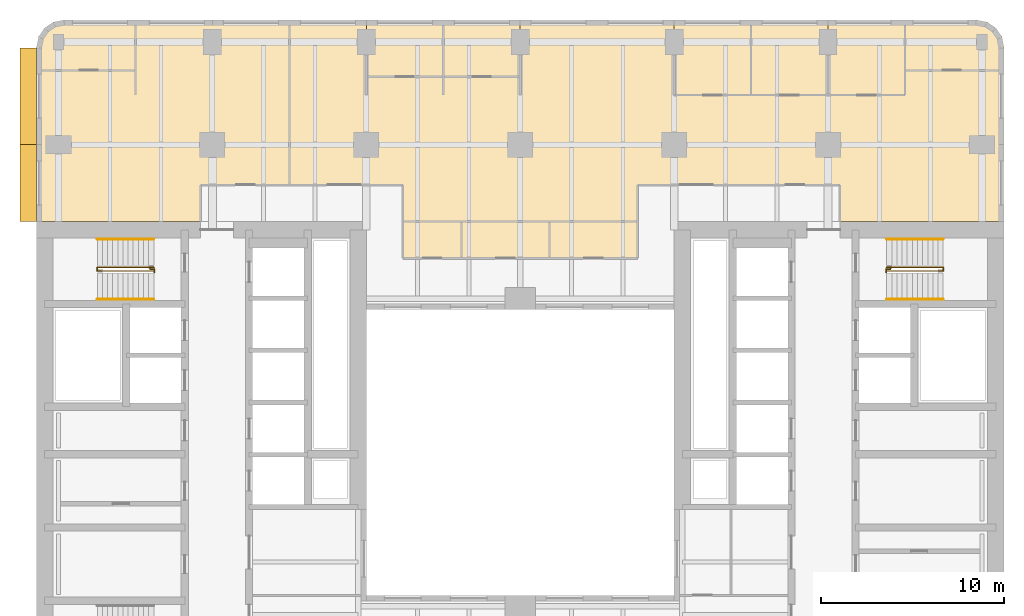
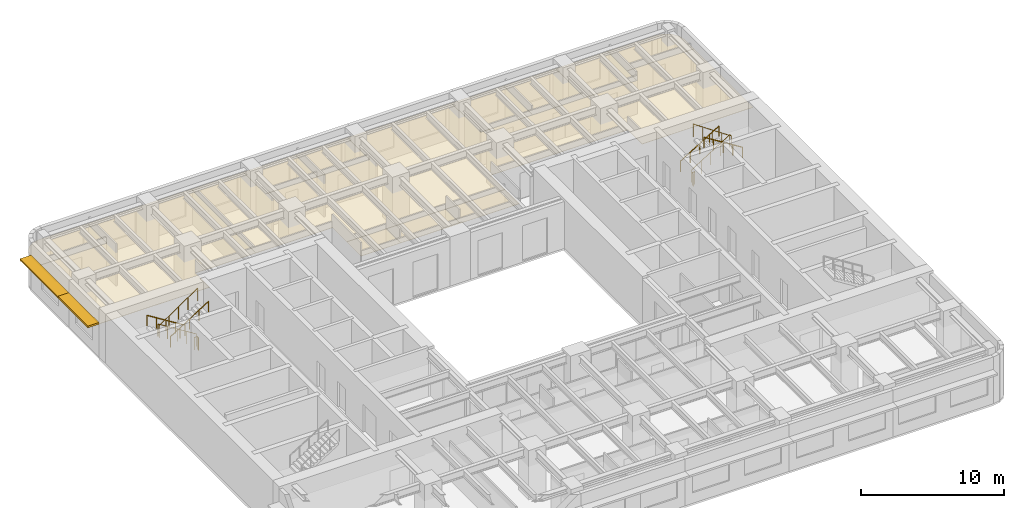
# One storey, part 11 of 11: 12 coverings, 8 railings, 2 shading devices.
"""IFC4 building model written with IfcOpenShell, lengths in metres."""

from ifc_helpers import new_model, si_unit, direction, frame, origin, origin_2d, place, context, subcontext, project, spatial, polyline, rectangle, circle, outline, extrude, material, layer, layer_set, type_object, element, save


model = new_model("IFC4")

# Units and contexts
model_context = context("Model", 3, precision=1e-05, world=origin(), true_north=direction((0.0, 1.0)))
body_context = subcontext(model_context, "Body", "Model", "MODEL_VIEW")
ifc_project = project(units=[si_unit("LENGTHUNIT", "METRE"), si_unit("AREAUNIT", "SQUARE_METRE"), si_unit("VOLUMEUNIT", "CUBIC_METRE"), si_unit("PLANEANGLEUNIT", "RADIAN"), si_unit("MASSUNIT", "GRAM", prefix="KILO")], contexts=[model_context])

# Site, building, storey
site_placement = place(None, origin())
site = spatial("IfcSite", under=ifc_project, at=site_placement, CompositionType="ELEMENT")
building_placement = place(site_placement, origin())
building = spatial("IfcBuilding", under=site, at=building_placement, Name="Claustro Exchange Tower", CompositionType="ELEMENT")
storey_placement = place(building_placement, frame((0.0, 0.0, 163.800048828125)))
storey = spatial("IfcBuildingStorey", under=building, at=storey_placement, Name="L37", CompositionType="ELEMENT", Elevation=163.800048828125)

# Coverings
ifc_material_1 = material(Name="Perforated metal ceiling tiles", Category="steel")
ifc_layer_1 = layer(ifc_material_1, 0.030029296875)
ifc_layer_set_1 = layer_set([ifc_layer_1], Name="Perforated metal ceiling tiles")
covering_type_1 = type_object("IfcCoveringType", Name="CL1 suspended metal ceiling", PredefinedType="CEILING", material=ifc_layer_set_1)
covering_1_placement = place(storey_placement, frame((0.0, 0.0, 2.800048828125)))
element("IfcCovering", 1, at=covering_1_placement, inside=storey, type_object=covering_type_1, Name="Ceiling CL1 L37-21", PredefinedType="CEILING", context=body_context, shape_type="SweptSolid", body=[
    extrude(outline(polyline([(-1.199951171875, 46.050048828125), (-1.199951171875, 37.800048828125), (7.75, 37.800048828125), (7.75, 39.800048828125), (12.60009765625, 39.800048828125), (12.60009765625, 48.800048828125), (4.199951171875, 48.800048828125), (4.199951171875, 46.050048828125), (-1.199951171875, 46.050048828125)])), origin(), (0.0, 0.0, 1.0), 0.02978515625),
])
ifc_material_2 = material(Name="Gypsum board ceiling", Category="gypsum board")
ifc_layer_2 = layer(ifc_material_2, 0.02490234375)
ifc_layer_set_2 = layer_set([ifc_layer_2], Name="Gypsum board ceiling")
covering_type_2 = type_object("IfcCoveringType", Name="CL2 plasterboard ceiling", PredefinedType="CEILING", material=ifc_layer_set_2)
covering_2_placement = place(storey_placement, frame((0.0, 0.0, 2.800048828125)))
element("IfcCovering", 2, at=covering_2_placement, inside=storey, type_object=covering_type_2, Name="Ceiling CL2 L37-17", PredefinedType="CEILING", context=body_context, shape_type="SweptSolid", body=[
    extrude(outline(polyline([(18.800048828125, 35.800048828125), (22.0, 35.800048828125), (22.0, 37.800048828125), (18.800048828125, 37.800048828125), (18.800048828125, 35.800048828125)])), origin(), (0.0, 0.0, 1.0), 0.02490234375),
])
covering_3_placement = place(storey_placement, frame((0.0, 0.0, 2.800048828125)))
element("IfcCovering", 3, at=covering_3_placement, inside=storey, type_object=covering_type_2, Name="Ceiling CL2 L37-18", PredefinedType="CEILING", context=body_context, shape_type="SweptSolid", body=[
    extrude(outline(polyline([(22.0, 35.800048828125), (26.800048828125, 35.800048828125), (26.800048828125, 37.800048828125), (22.0, 37.800048828125), (22.0, 35.800048828125)])), origin(), (0.0, 0.0, 1.0), 0.02490234375),
])
covering_4_placement = place(storey_placement, frame((0.0, 0.0, 2.800048828125)))
element("IfcCovering", 4, at=covering_4_placement, inside=storey, type_object=covering_type_2, Name="Ceiling CL2 L37-19", PredefinedType="CEILING", context=body_context, shape_type="SweptSolid", body=[
    extrude(outline(polyline([(26.800048828125, 35.800048828125), (31.60009765625, 35.800048828125), (31.60009765625, 37.800048828125), (26.800048828125, 37.800048828125), (26.800048828125, 35.800048828125)])), origin(), (0.0, 0.0, 1.0), 0.02490234375),
])
covering_5_placement = place(storey_placement, frame((0.0, 0.0, 2.800048828125)))
element("IfcCovering", 5, at=covering_5_placement, inside=storey, type_object=covering_type_2, Name="Ceiling CL2 L37-20", PredefinedType="CEILING", context=body_context, shape_type="SweptSolid", body=[
    extrude(outline(polyline([(16.800048828125, 48.800048828125), (12.60009765625, 48.800048828125), (12.60009765625, 39.800048828125), (18.800048828125, 39.800048828125), (18.800048828125, 37.800048828125), (31.60009765625, 37.800048828125), (31.60009765625, 39.800048828125), (42.64990234375, 39.800048828125), (42.64990234375, 37.800048828125), (51.60009765625, 37.800048828125), (51.60009765625, 46.050048828125), (46.199951171875, 46.050048828125), (46.199951171875, 44.699951171875), (42.0, 44.699951171875), (37.800048828125, 44.699951171875), (33.60009765625, 44.699951171875), (33.60009765625, 48.800048828125), (25.199951171875, 48.800048828125), (25.199951171875, 45.699951171875), (21.0, 45.699951171875), (16.800048828125, 45.699951171875), (16.800048828125, 48.800048828125)])), origin(), (0.0, 0.0, 1.0), 0.02490234375),
])
covering_6_placement = place(storey_placement, frame((0.0, 0.0, 2.800048828125)))
element("IfcCovering", 6, at=covering_6_placement, inside=storey, type_object=covering_type_2, Name="Ceiling CL2 L37-22", PredefinedType="CEILING", context=body_context, shape_type="SweptSolid", body=[
    extrude(outline(polyline([(37.800048828125, 48.800048828125), (33.60009765625, 48.800048828125), (33.60009765625, 44.699951171875), (37.800048828125, 44.699951171875), (37.800048828125, 48.800048828125)])), origin(), (0.0, 0.0, 1.0), 0.02490234375),
])
covering_7_placement = place(storey_placement, frame((0.0, 0.0, 2.800048828125)))
element("IfcCovering", 7, at=covering_7_placement, inside=storey, type_object=covering_type_2, Name="Ceiling CL2 L37-23", PredefinedType="CEILING", context=body_context, shape_type="SweptSolid", body=[
    extrude(outline(polyline([(42.0, 48.800048828125), (37.800048828125, 48.800048828125), (37.800048828125, 44.699951171875), (42.0, 44.699951171875), (42.0, 48.800048828125)])), origin(), (0.0, 0.0, 1.0), 0.02490234375),
])
covering_8_placement = place(storey_placement, frame((0.0, 0.0, 2.800048828125)))
element("IfcCovering", 8, at=covering_8_placement, inside=storey, type_object=covering_type_2, Name="Ceiling CL2 L37-24", PredefinedType="CEILING", context=body_context, shape_type="SweptSolid", body=[
    extrude(outline(polyline([(46.199951171875, 48.800048828125), (42.0, 48.800048828125), (42.0, 44.699951171875), (46.199951171875, 44.699951171875), (46.199951171875, 48.800048828125)])), origin(), (0.0, 0.0, 1.0), 0.02490234375),
])
covering_9_placement = place(storey_placement, frame((0.0, 0.0, 2.800048828125)))
element("IfcCovering", 9, at=covering_9_placement, inside=storey, type_object=covering_type_2, Name="Ceiling CL2 L37-25", PredefinedType="CEILING", context=body_context, shape_type="SweptSolid", body=[
    extrude(outline(polyline([(21.0, 48.800048828125), (16.800048828125, 48.800048828125), (16.800048828125, 45.699951171875), (21.0, 45.699951171875), (21.0, 48.800048828125)])), origin(), (0.0, 0.0, 1.0), 0.02490234375),
])
covering_10_placement = place(storey_placement, frame((0.0, 0.0, 2.800048828125)))
element("IfcCovering", 10, at=covering_10_placement, inside=storey, type_object=covering_type_2, Name="Ceiling CL2 L37-26", PredefinedType="CEILING", context=body_context, shape_type="SweptSolid", body=[
    extrude(outline(polyline([(25.199951171875, 48.800048828125), (21.0, 48.800048828125), (21.0, 45.699951171875), (25.199951171875, 45.699951171875), (25.199951171875, 48.800048828125)])), origin(), (0.0, 0.0, 1.0), 0.02490234375),
])
covering_11_placement = place(storey_placement, frame((0.0, 0.0, 2.800048828125)))
element("IfcCovering", 11, at=covering_11_placement, inside=storey, type_object=covering_type_2, Name="Ceiling CL2 L37-27", PredefinedType="CEILING", context=body_context, shape_type="SweptSolid", body=[
    extrude(outline(polyline([(-1.199951171875, 47.300048828125), (-1.199951171875, 46.050048828125), (4.199951171875, 46.050048828125), (4.199951171875, 48.800048828125), (0.300048828125, 48.800048828125), (-0.27392578125, 48.685791015625), (-0.7607421875, 48.360595703125), (-1.085693359375, 47.8740234375), (-1.199951171875, 47.300048828125)])), origin(), (0.0, 0.0, 1.0), 0.02490234375),
])
covering_12_placement = place(storey_placement, frame((0.0, 0.0, 2.800048828125)))
element("IfcCovering", 12, at=covering_12_placement, inside=storey, type_object=covering_type_2, Name="Ceiling CL2 L37-28", PredefinedType="CEILING", context=body_context, shape_type="SweptSolid", body=[
    extrude(outline(polyline([(50.10009765625, 48.800048828125), (46.199951171875, 48.800048828125), (46.199951171875, 46.050048828125), (51.60009765625, 46.050048828125), (51.60009765625, 47.300048828125), (51.48583984375, 47.8740234375), (51.16064453125, 48.360595703125), (50.674072265625, 48.685791015625), (50.10009765625, 48.800048828125)])), origin(), (0.0, 0.0, 1.0), 0.02490234375),
])

# Railings
ifc_material_3 = material(Name="Steel balustrade, painted", Category="steel")
railing_type_1 = type_object("IfcRailingType", Name="GR2 1100 steel stair guard", PredefinedType="GUARDRAIL", material=ifc_material_3)
railing_1_placement = place(storey_placement, frame((5.199951171875, 35.300048828125, 0.175048828125)))
element("IfcRailing", 13, at=railing_1_placement, inside=storey, type_object=railing_type_1, Name="Stair well guard GR2 stair STWB L37", PredefinedType="GUARDRAIL", context=body_context, shape_type="SweptSolid", body=[
    extrude(circle(Radius=0.02392578125, at=origin_2d()), frame((0.0, 0.0, 1.076171875), z_axis=(-0.848009633417, 0.0, 0.529980812513), x_axis=(0.0, -1.0, 0.0)), (0.0, 0.0, 1.0), 3.6318359375),
    extrude(circle(Radius=0.02392578125, at=origin_2d()), frame((-3.079833984375, 0.0, 3.0009765625), z_axis=(0.0, -1.0, 0.0), x_axis=(1.0, 0.0, 0.0)), (0.0, 0.0, 1.0), 0.199951171875),
    extrude(circle(Radius=0.02392578125, at=origin_2d()), frame((-3.079833984375, -0.199951171875, 3.0009765625), z_axis=(0.826201015165, 0.0, 0.563375436579), x_axis=(0.0, 1.0, 0.0)), (0.0, 0.0, 1.0), 3.727783203125),
    extrude(circle(Radius=0.02099609375, at=origin_2d()), origin(), (0.0, 0.0, 1.0), 1.052001953125),
    extrude(circle(Radius=0.02099609375, at=origin_2d()), frame((-0.77001953125, 0.0, 0.481201171875)), (0.0, 0.0, 1.0), 1.052001953125),
    extrude(circle(Radius=0.02099609375, at=origin_2d()), frame((-1.5400390625, 0.0, 0.96240234375)), (0.0, 0.0, 1.0), 1.052001953125),
    extrude(circle(Radius=0.02099609375, at=origin_2d()), frame((-2.309814453125, 0.0, 1.443603515625)), (0.0, 0.0, 1.0), 1.052001953125),
    extrude(circle(Radius=0.02099609375, at=origin_2d()), frame((-3.079833984375, 0.0, 1.9248046875)), (0.0, 0.0, 1.0), 1.052001953125),
    extrude(circle(Radius=0.02099609375, at=origin_2d()), frame((-3.079833984375, -0.199951171875, 1.9248046875)), (0.0, 0.0, 1.0), 1.052001953125),
    extrude(circle(Radius=0.02099609375, at=origin_2d()), frame((-2.309814453125, -0.199951171875, 2.44970703125)), (0.0, 0.0, 1.0), 1.052001953125),
    extrude(circle(Radius=0.02099609375, at=origin_2d()), frame((-1.5400390625, -0.199951171875, 2.974853515625)), (0.0, 0.0, 1.0), 1.052001953125),
    extrude(circle(Radius=0.02099609375, at=origin_2d()), frame((-0.77001953125, -0.199951171875, 3.5)), (0.0, 0.0, 1.0), 1.052001953125),
    extrude(circle(Radius=0.02099609375, at=origin_2d()), frame((0.0, -0.199951171875, 4.02490234375)), (0.0, 0.0, 1.0), 1.052001953125),
])
railing_2_placement = place(storey_placement, frame((5.0, 35.22998046875, 0.0)))
element("IfcRailing", 14, at=railing_2_placement, inside=storey, type_object=railing_type_1, Name="Stair guard GR2 STWB L37", PredefinedType="GUARDRAIL", context=body_context, shape_type="SweptSolid", body=[
    extrude(circle(Radius=0.02392578125, at=origin_2d()), frame((0.0, 0.0, 1.076171875), z_axis=(0.0, -1.0, 0.0), x_axis=(1.0, 0.0, 0.0)), (0.0, 0.0, 1.0), 0.030029296875),
    extrude(circle(Radius=0.02392578125, at=origin_2d()), frame((0.0, -0.030029296875, 1.076171875), z_axis=(1.0, 0.0, 0.0), x_axis=(0.0, 1.0, 0.0)), (0.0, 0.0, 1.0), 0.22509765625),
    extrude(circle(Radius=0.02392578125, at=origin_2d()), frame((0.22509765625, -0.030029296875, 1.076171875), z_axis=(0.0, -1.0, 0.0), x_axis=(1.0, 0.0, 0.0)), (0.0, 0.0, 1.0), 0.179931640625),
    extrude(circle(Radius=0.02099609375, at=origin_2d()), origin(), (0.0, 0.0, 1.0), 1.052001953125),
    extrude(circle(Radius=0.02099609375, at=origin_2d()), frame((0.0, -0.030029296875, 0.0)), (0.0, 0.0, 1.0), 1.052001953125),
    extrude(circle(Radius=0.02099609375, at=origin_2d()), frame((0.22509765625, -0.030029296875, 0.0)), (0.0, 0.0, 1.0), 1.052001953125),
    extrude(circle(Radius=0.02099609375, at=origin_2d()), frame((0.22509765625, -0.2099609375, 0.0)), (0.0, 0.0, 1.0), 1.052001953125),
])
railing_3_placement = place(storey_placement, frame((45.199951171875, 35.300048828125, 0.175048828125)))
element("IfcRailing", 15, at=railing_3_placement, inside=storey, type_object=railing_type_1, Name="Stair well guard GR2 stair STEB L37", PredefinedType="GUARDRAIL", context=body_context, shape_type="SweptSolid", body=[
    extrude(circle(Radius=0.02392578125, at=origin_2d()), frame((0.0, 0.0, 1.076171875), z_axis=(0.848028513186, 0.0, 0.529950602248), x_axis=(0.0, 1.0, 0.0)), (0.0, 0.0, 1.0), 3.632080078125),
    extrude(circle(Radius=0.02392578125, at=origin_2d()), frame((3.080078125, 0.0, 3.0009765625), z_axis=(0.0, -1.0, 0.0), x_axis=(1.0, 0.0, 0.0)), (0.0, 0.0, 1.0), 0.199951171875),
    extrude(circle(Radius=0.02392578125, at=origin_2d()), frame((3.080078125, -0.199951171875, 3.0009765625), z_axis=(-0.826221800596, 0.0, 0.563344953133), x_axis=(0.0, -1.0, 0.0)), (0.0, 0.0, 1.0), 3.72802734375),
    extrude(circle(Radius=0.02099609375, at=origin_2d()), origin(), (0.0, 0.0, 1.0), 1.052001953125),
    extrude(circle(Radius=0.02099609375, at=origin_2d()), frame((0.77001953125, 0.0, 0.481201171875)), (0.0, 0.0, 1.0), 1.052001953125),
    extrude(circle(Radius=0.02099609375, at=origin_2d()), frame((1.5400390625, 0.0, 0.96240234375)), (0.0, 0.0, 1.0), 1.052001953125),
    extrude(circle(Radius=0.02099609375, at=origin_2d()), frame((2.31005859375, 0.0, 1.443603515625)), (0.0, 0.0, 1.0), 1.052001953125),
    extrude(circle(Radius=0.02099609375, at=origin_2d()), frame((3.080078125, 0.0, 1.9248046875)), (0.0, 0.0, 1.0), 1.052001953125),
    extrude(circle(Radius=0.02099609375, at=origin_2d()), frame((3.080078125, -0.199951171875, 1.9248046875)), (0.0, 0.0, 1.0), 1.052001953125),
    extrude(circle(Radius=0.02099609375, at=origin_2d()), frame((2.31005859375, -0.199951171875, 2.44970703125)), (0.0, 0.0, 1.0), 1.052001953125),
    extrude(circle(Radius=0.02099609375, at=origin_2d()), frame((1.5400390625, -0.199951171875, 2.974853515625)), (0.0, 0.0, 1.0), 1.052001953125),
    extrude(circle(Radius=0.02099609375, at=origin_2d()), frame((0.77001953125, -0.199951171875, 3.5)), (0.0, 0.0, 1.0), 1.052001953125),
    extrude(circle(Radius=0.02099609375, at=origin_2d()), frame((0.0, -0.199951171875, 4.02490234375)), (0.0, 0.0, 1.0), 1.052001953125),
])
railing_4_placement = place(storey_placement, frame((45.39990234375, 35.22998046875, 0.0)))
element("IfcRailing", 16, at=railing_4_placement, inside=storey, type_object=railing_type_1, Name="Stair guard GR2 STEB L37", PredefinedType="GUARDRAIL", context=body_context, shape_type="SweptSolid", body=[
    extrude(circle(Radius=0.02392578125, at=origin_2d()), frame((0.0, 0.0, 1.076171875), z_axis=(0.0, -1.0, 0.0), x_axis=(1.0, 0.0, 0.0)), (0.0, 0.0, 1.0), 0.030029296875),
    extrude(circle(Radius=0.02392578125, at=origin_2d()), frame((0.0, -0.030029296875, 1.076171875), z_axis=(-1.0, 0.0, 0.0), x_axis=(0.0, -1.0, 0.0)), (0.0, 0.0, 1.0), 0.224853515625),
    extrude(circle(Radius=0.02392578125, at=origin_2d()), frame((-0.224853515625, -0.030029296875, 1.076171875), z_axis=(0.0, -1.0, 0.0), x_axis=(1.0, 0.0, 0.0)), (0.0, 0.0, 1.0), 0.179931640625),
    extrude(circle(Radius=0.02099609375, at=origin_2d()), origin(), (0.0, 0.0, 1.0), 1.052001953125),
    extrude(circle(Radius=0.02099609375, at=origin_2d()), frame((0.0, -0.030029296875, 0.0)), (0.0, 0.0, 1.0), 1.052001953125),
    extrude(circle(Radius=0.02099609375, at=origin_2d()), frame((-0.224853515625, -0.030029296875, 0.0)), (0.0, 0.0, 1.0), 1.052001953125),
    extrude(circle(Radius=0.02099609375, at=origin_2d()), frame((-0.224853515625, -0.2099609375, 0.0)), (0.0, 0.0, 1.0), 1.052001953125),
])
ifc_material_4 = material(Name="Stainless steel tube", Category="steel")
railing_type_2 = type_object("IfcRailingType", Name="HR1 900 stair handrail", PredefinedType="HANDRAIL", material=ifc_material_4)
railing_5_placement = place(storey_placement, frame((5.199951171875, 36.840087890625, 0.175048828125)))
element("IfcRailing", 17, at=railing_5_placement, inside=storey, type_object=railing_type_2, Name="Handrail HR1 stair STWB L37", PredefinedType="HANDRAIL", context=body_context, shape_type="SweptSolid", body=[
    extrude(circle(Radius=0.02392578125, at=origin_2d()), frame((0.0, 0.0, 0.8759765625), z_axis=(-0.848009633417, 0.0, 0.529980812513), x_axis=(0.0, -1.0, 0.0)), (0.0, 0.0, 1.0), 3.6318359375),
    extrude(circle(Radius=0.02099609375, at=origin_2d()), origin(), (0.0, 0.0, 1.0), 0.851806640625),
    extrude(circle(Radius=0.02099609375, at=origin_2d()), frame((-0.77001953125, 0.0, 0.481201171875)), (0.0, 0.0, 1.0), 0.851806640625),
    extrude(circle(Radius=0.02099609375, at=origin_2d()), frame((-1.5400390625, 0.0, 0.96240234375)), (0.0, 0.0, 1.0), 0.851806640625),
    extrude(circle(Radius=0.02099609375, at=origin_2d()), frame((-2.309814453125, 0.0, 1.443603515625)), (0.0, 0.0, 1.0), 0.851806640625),
    extrude(circle(Radius=0.02099609375, at=origin_2d()), frame((-3.079833984375, 0.0, 1.9248046875)), (0.0, 0.0, 1.0), 0.851806640625),
])
railing_6_placement = place(storey_placement, frame((2.1201171875, 33.56005859375, 2.27490234375)))
element("IfcRailing", 18, at=railing_6_placement, inside=storey, type_object=railing_type_2, Name="Handrail HR1 stair STWB L37", PredefinedType="HANDRAIL", context=body_context, shape_type="SweptSolid", body=[
    extrude(circle(Radius=0.02392578125, at=origin_2d()), frame((0.0, 0.0, 0.8759765625), z_axis=(0.847979421464, 0.0, 0.530029150871), x_axis=(0.0, 1.0, 0.0)), (0.0, 0.0, 1.0), 3.632080078125),
    extrude(circle(Radius=0.02099609375, at=origin_2d()), origin(), (0.0, 0.0, 1.0), 0.851806640625),
    extrude(circle(Radius=0.02099609375, at=origin_2d()), frame((0.77001953125, 0.0, 0.481201171875)), (0.0, 0.0, 1.0), 0.851806640625),
    extrude(circle(Radius=0.02099609375, at=origin_2d()), frame((1.5400390625, 0.0, 0.96240234375)), (0.0, 0.0, 1.0), 0.851806640625),
    extrude(circle(Radius=0.02099609375, at=origin_2d()), frame((2.309814453125, 0.0, 1.44384765625)), (0.0, 0.0, 1.0), 0.851806640625),
    extrude(circle(Radius=0.02099609375, at=origin_2d()), frame((3.079833984375, 0.0, 1.925048828125)), (0.0, 0.0, 1.0), 0.851806640625),
])
railing_7_placement = place(storey_placement, frame((45.199951171875, 36.840087890625, 0.175048828125)))
element("IfcRailing", 19, at=railing_7_placement, inside=storey, type_object=railing_type_2, Name="Handrail HR1 stair STEB L37", PredefinedType="HANDRAIL", context=body_context, shape_type="SweptSolid", body=[
    extrude(circle(Radius=0.02392578125, at=origin_2d()), frame((0.0, 0.0, 0.8759765625), z_axis=(0.848028513186, 0.0, 0.529950602248), x_axis=(0.0, 1.0, 0.0)), (0.0, 0.0, 1.0), 3.632080078125),
    extrude(circle(Radius=0.02099609375, at=origin_2d()), origin(), (0.0, 0.0, 1.0), 0.851806640625),
    extrude(circle(Radius=0.02099609375, at=origin_2d()), frame((0.77001953125, 0.0, 0.481201171875)), (0.0, 0.0, 1.0), 0.851806640625),
    extrude(circle(Radius=0.02099609375, at=origin_2d()), frame((1.5400390625, 0.0, 0.96240234375)), (0.0, 0.0, 1.0), 0.851806640625),
    extrude(circle(Radius=0.02099609375, at=origin_2d()), frame((2.31005859375, 0.0, 1.443603515625)), (0.0, 0.0, 1.0), 0.851806640625),
    extrude(circle(Radius=0.02099609375, at=origin_2d()), frame((3.080078125, 0.0, 1.9248046875)), (0.0, 0.0, 1.0), 0.851806640625),
])
railing_8_placement = place(storey_placement, frame((48.280029296875, 33.56005859375, 2.27490234375)))
element("IfcRailing", 20, at=railing_8_placement, inside=storey, type_object=railing_type_2, Name="Handrail HR1 stair STEB L37", PredefinedType="HANDRAIL", context=body_context, shape_type="SweptSolid", body=[
    extrude(circle(Radius=0.02392578125, at=origin_2d()), frame((0.0, 0.0, 0.8759765625), z_axis=(-0.847998304005, 0.0, 0.529998940003), x_axis=(0.0, -1.0, 0.0)), (0.0, 0.0, 1.0), 3.632080078125),
    extrude(circle(Radius=0.02099609375, at=origin_2d()), origin(), (0.0, 0.0, 1.0), 0.851806640625),
    extrude(circle(Radius=0.02099609375, at=origin_2d()), frame((-0.77001953125, 0.0, 0.481201171875)), (0.0, 0.0, 1.0), 0.851806640625),
    extrude(circle(Radius=0.02099609375, at=origin_2d()), frame((-1.5400390625, 0.0, 0.96240234375)), (0.0, 0.0, 1.0), 0.851806640625),
    extrude(circle(Radius=0.02099609375, at=origin_2d()), frame((-2.31005859375, 0.0, 1.44384765625)), (0.0, 0.0, 1.0), 0.851806640625),
    extrude(circle(Radius=0.02099609375, at=origin_2d()), frame((-3.080078125, 0.0, 1.925048828125)), (0.0, 0.0, 1.0), 0.851806640625),
])

# Shading devices
ifc_material_5 = material(Name="Concrete HA-40 (C40/50), precast, white cement, acid-etched", Category="concrete")
ifc_layer_3 = layer(ifc_material_5, 0.14990234375)
ifc_layer_set_3 = layer_set([ifc_layer_3], Name="Concrete HA-40 (C40/50), precast, white cement, acid-etched")
shading_device_type = type_object("IfcShadingDeviceType", Name="SS2 900 precast concrete SUNSHADE", PredefinedType="SHUTTER", material=ifc_layer_set_3)
shading_device_1_placement = place(storey_placement, frame((-1.64990234375, 39.89990234375, 2.800048828125), z_axis=(0.0, 0.0, 1.0), x_axis=(0.0, 1.0, 0.0)))
element("IfcShadingDevice", 21, at=shading_device_1_placement, inside=storey, type_object=shading_device_type, Name="Precast SUNSHADE SS2 L37", PredefinedType="SHUTTER", context=body_context, shape_type="SweptSolid", body=[
    extrude(rectangle(XDim=4.199951171875, YDim=0.89990234375, at=origin_2d()), origin(), (0.0, 0.0, 1.0), 0.14990234375),
])
shading_device_2_placement = place(storey_placement, frame((-1.64990234375, 44.642578125, 2.800048828125), z_axis=(0.0, 0.0, 1.0), x_axis=(0.0, 1.0, 0.0)))
element("IfcShadingDevice", 22, at=shading_device_2_placement, inside=storey, type_object=shading_device_type, Name="Precast SUNSHADE SS2 L37", PredefinedType="SHUTTER", context=body_context, shape_type="SweptSolid", body=[
    extrude(rectangle(XDim=5.28515625, YDim=0.89990234375, at=origin_2d()), origin(), (0.0, 0.0, 1.0), 0.14990234375),
])

save(model, "model.ifc")
